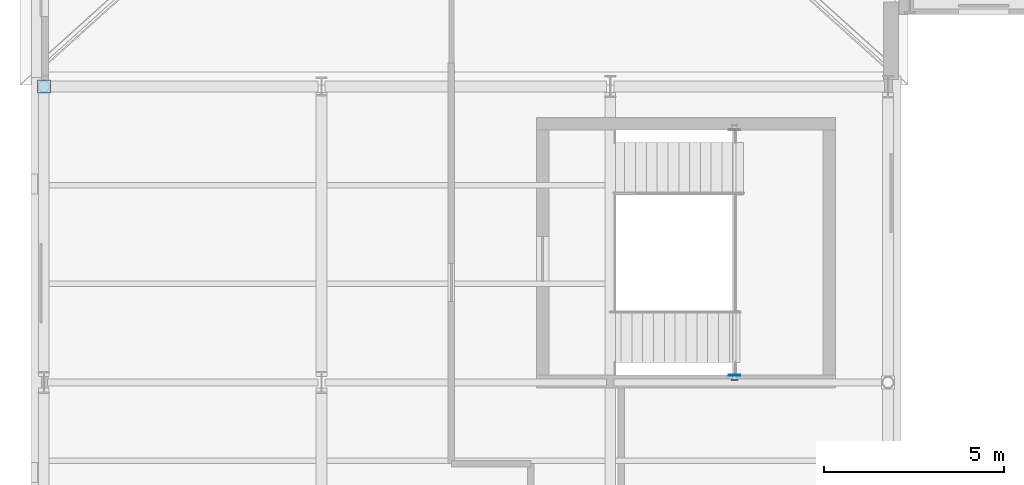
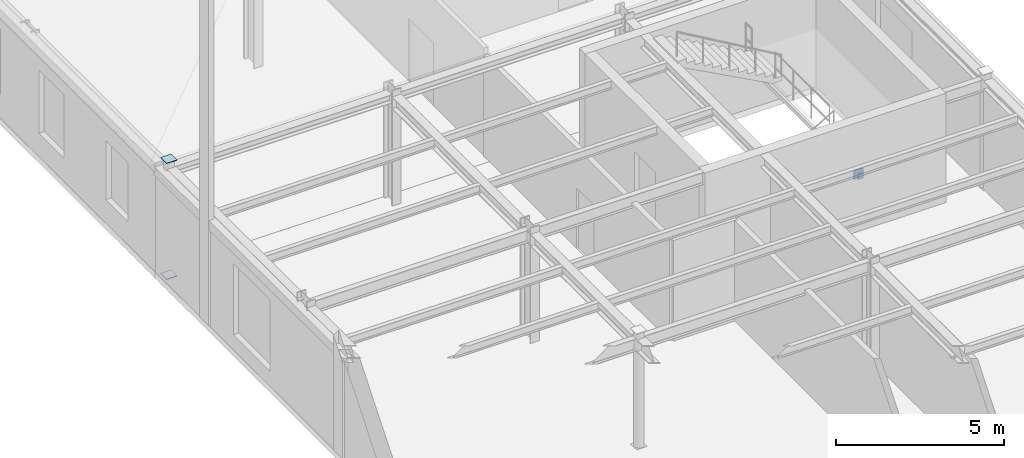
# One storey, part 119 of 148: 4 plates.
"""IFC4 building model written with IfcOpenShell, lengths in metres."""

from ifc_helpers import new_model, si_unit, direction, frame, origin, origin_2d, place, context, subcontext, project, spatial, rectangle, extrude, material, layer, layer_set, type_object, element, save


model = new_model("IFC4")

# Units and contexts
model_context = context("Model", 3, precision=1e-05, world=origin(), true_north=direction((0.0, 1.0)))
body_context = subcontext(model_context, "Body", "Model", "MODEL_VIEW")
ifc_project = project(units=[si_unit("LENGTHUNIT", "METRE"), si_unit("AREAUNIT", "SQUARE_METRE"), si_unit("VOLUMEUNIT", "CUBIC_METRE"), si_unit("PLANEANGLEUNIT", "RADIAN"), si_unit("MASSUNIT", "GRAM", prefix="KILO"), si_unit("THERMODYNAMICTEMPERATUREUNIT", "KELVIN"), si_unit("POWERUNIT", "WATT")], contexts=[model_context])

# Site, building, storey
site_placement = place(None, origin())
site = spatial("IfcSite", under=ifc_project, at=site_placement, CompositionType="ELEMENT")
building_placement = place(site_placement, origin())
building = spatial("IfcBuilding", under=site, at=building_placement, Name="Solvatero Civic Police Headquarters", CompositionType="ELEMENT")
storey_placement = place(building_placement, frame((0.0, 0.0, 5.10009765625)))
storey = spatial("IfcBuildingStorey", under=building, at=storey_placement, Name="L01", CompositionType="ELEMENT", Elevation=5.10009765625)

# Plates
ifc_material = material(Name="Steel S355", Category="steel")
ifc_layer_1 = layer(ifc_material, 0.02001953125)
ifc_layer_set_1 = layer_set([ifc_layer_1], Name="Steel S355")
plate_type_1 = type_object("IfcPlateType", Name="PLT-CAP-20", PredefinedType="SHEET", material=ifc_layer_set_1)
for number, where, z_axis, x_axis, name in (
    (1, (4.800048828125, 83.199951171875, 4.199951171875), (0.0, 0.0, 1.0), (1.0, 0.0, 0.0), "Hollow Section End Cap Plate 0113"),
    (2, (4.800048828125, 83.199951171875, -0.02001953125), (0.0, 0.0, 1.0), (1.0, 0.0, 0.0), "Hollow Section End Cap Plate 0114"),
):
    element("IfcPlate", number, at=place(storey_placement, frame(where, z_axis=z_axis, x_axis=x_axis)), inside=storey, type_object=plate_type_1, Name=name, PredefinedType="SHEET", context=body_context, shape_type="SweptSolid", body=[
        extrude(rectangle(XDim=0.364013671875, YDim=0.364013671875, at=origin_2d()), origin(), (0.0, 0.0, 1.0), 0.02001953125),
    ])
plate_1_placement = place(storey_placement, frame((23.93994140625, 75.070068359375, 1.71484375), z_axis=(0.0, 0.0, 1.0), x_axis=(1.0, 0.0, 0.0)))
element("IfcPlate", 3, at=plate_1_placement, inside=storey, type_object=plate_type_1, Name="Hollow Section Cap Plate 0057", PredefinedType="SHEET", context=body_context, shape_type="SweptSolid", body=[
    extrude(rectangle(XDim=0.179931640625, YDim=0.02001953125, at=origin_2d()), origin(), (0.0, 0.0, 1.0), 0.219970703125),
])
ifc_layer_2 = layer(ifc_material, 0.02490234375)
ifc_layer_set_2 = layer_set([ifc_layer_2], Name="Steel S355")
plate_type_2 = type_object("IfcPlateType", Name="PLT-EMB-25", PredefinedType="SHEET", material=ifc_layer_set_2)
plate_2_placement = place(storey_placement, frame((23.93994140625, 75.199951171875, 1.6650390625), z_axis=(0.0, 0.0, 1.0), x_axis=(1.0, 0.0, 0.0)))
element("IfcPlate", 4, at=plate_2_placement, inside=storey, type_object=plate_type_2, Name="Cast-In Shear Wall Embed Plate 0057", PredefinedType="SHEET", context=body_context, shape_type="SweptSolid", body=[
    extrude(rectangle(XDim=0.320068359375, YDim=0.02490234375, at=origin_2d()), origin(), (0.0, 0.0, 1.0), 0.320068359375),
])

save(model, "model.ifc")
